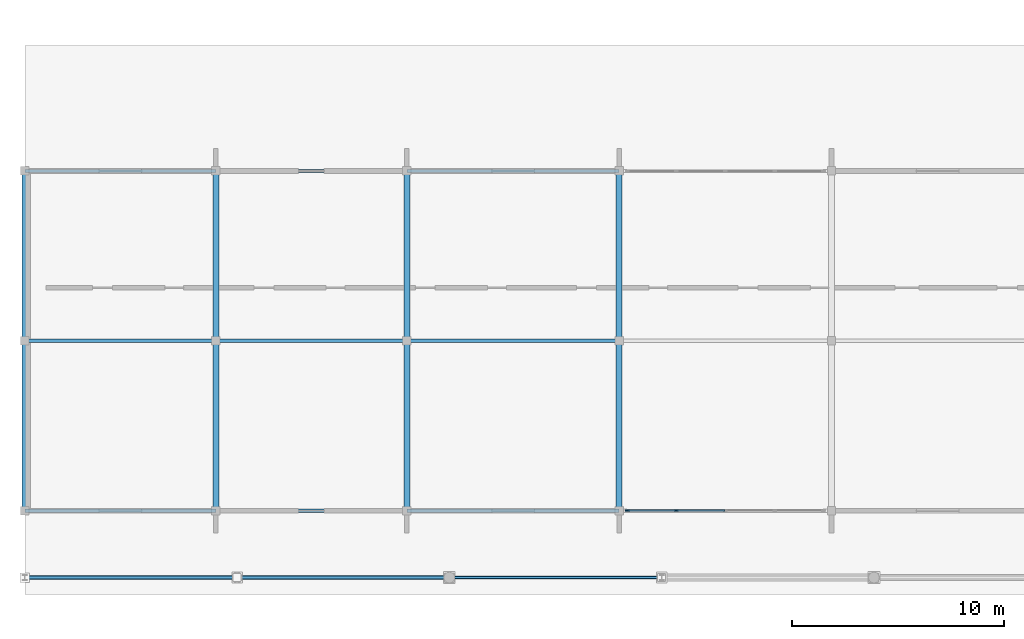
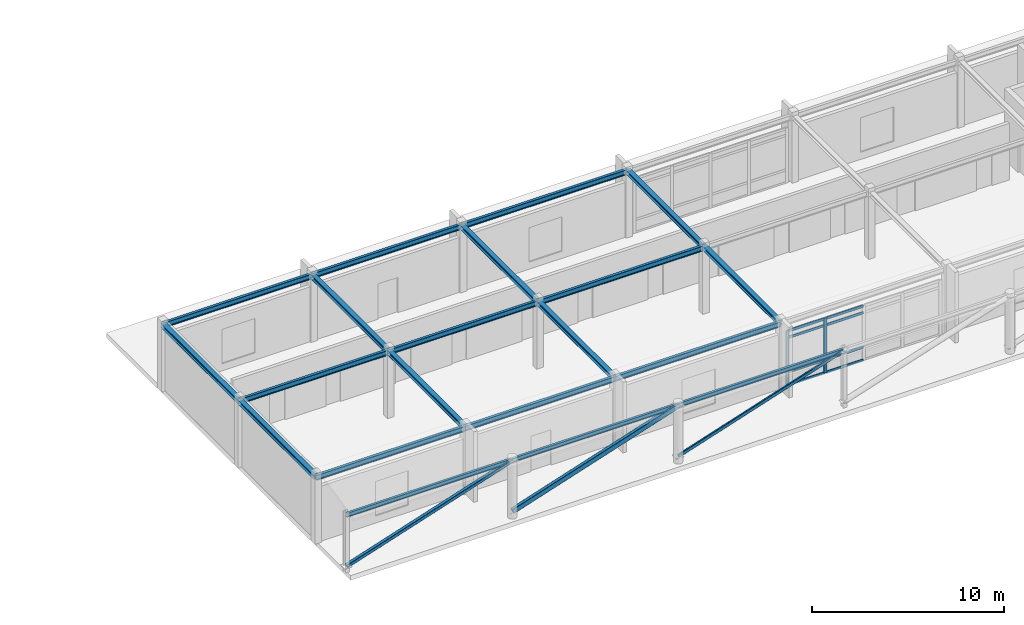
# One storey, part 9 of 61: 20 beams, 13 members, 1 element without a shape of its own.
"""IFC4 building model written with IfcOpenShell, lengths in metres."""

from ifc_helpers import new_model, si_unit, direction, frame, origin, origin_2d, place, context, subcontext, project, spatial, rectangle, hollow_rectangle, i_section, extrude, material, material_profile, profile_set, type_object, element, aggregate, save


model = new_model("IFC4")

# Units and contexts
model_context = context("Model", 3, precision=1e-05, world=origin(), true_north=direction((0.0, 1.0)))
body_context = subcontext(model_context, "Body", "Model", "MODEL_VIEW")
ifc_project = project(units=[si_unit("LENGTHUNIT", "METRE"), si_unit("AREAUNIT", "SQUARE_METRE"), si_unit("VOLUMEUNIT", "CUBIC_METRE"), si_unit("PLANEANGLEUNIT", "RADIAN"), si_unit("MASSUNIT", "GRAM", prefix="KILO")], contexts=[model_context])

# Site, building, storey
site_placement = place(None, origin())
site = spatial("IfcSite", under=ifc_project, at=site_placement, CompositionType="ELEMENT")
building_placement = place(site_placement, origin())
building = spatial("IfcBuilding", under=site, at=building_placement, Name="Zimvara Arc Housing Community", CompositionType="ELEMENT")
storey_placement = place(building_placement, origin())
storey = spatial("IfcBuildingStorey", under=building, at=storey_placement, Name="L00", CompositionType="ELEMENT", Elevation=0.0)

# Beams
ifc_material_1 = material(Name="Steel S355", Category="steel")
ifc_material_profile_1 = material_profile(ifc_material_1, i_section(OverallWidth=0.280029296875, OverallDepth=0.27001953125, WebThickness=0.008056640625, FlangeThickness=0.012939453125, FilletRadius=0.02392578125, at=origin_2d()), Name="HEA 280")
ifc_profile_set_1 = profile_set([ifc_material_profile_1], Name="Steel S355")
beam_type_1 = type_object("IfcBeamType", Name="BM-ST-HEA280", PredefinedType="BEAM", material=ifc_profile_set_1)
for number, where, z_axis, x_axis, name in (
    (1, (0.0, 3.60009765625, 4.1201171875), (0.0, 1.0, 0.0), (-1.0, 0.0, 0.0), "bm:shops:L00:y:x0:b0"),
    (2, (0.0, 11.60009765625, 4.1201171875), (0.0, 1.0, 0.0), (-1.0, 0.0, 0.0), "bm:shops:L00:y:x0:b1"),
    (3, (9.0, 3.60009765625, 4.1201171875), (0.0, 1.0, 0.0), (-1.0, 0.0, 0.0), "bm:shops:L00:y:x1:b0"),
    (4, (9.0, 11.60009765625, 4.1201171875), (0.0, 1.0, 0.0), (-1.0, 0.0, 0.0), "bm:shops:L00:y:x1:b1"),
    (5, (18.0, 3.60009765625, 4.1201171875), (0.0, 1.0, 0.0), (-1.0, 0.0, 0.0), "bm:shops:L00:y:x2:b0"),
    (6, (18.0, 11.60009765625, 4.1201171875), (0.0, 1.0, 0.0), (-1.0, 0.0, 0.0), "bm:shops:L00:y:x2:b1"),
    (7, (28.0, 3.60009765625, 4.1201171875), (0.0, 1.0, 0.0), (-1.0, 0.0, 0.0), "bm:shops:L00:y:x3:b0"),
    (8, (28.0, 11.60009765625, 4.1201171875), (0.0, 1.0, 0.0), (-1.0, 0.0, 0.0), "bm:shops:L00:y:x3:b1"),
):
    element("IfcBeam", number, at=place(storey_placement, frame(where, z_axis=z_axis, x_axis=x_axis)), inside=storey, type_object=beam_type_1, Name=name, PredefinedType="BEAM", context=body_context, shape_type="SweptSolid", body=[
        extrude(i_section(OverallWidth=0.280029296875, OverallDepth=0.27001953125, WebThickness=0.008056640625, FlangeThickness=0.012939453125, FilletRadius=0.02392578125, at=origin_2d()), origin(), (0.0, 0.0, 1.0), 8.0),
    ])
ifc_material_2 = material(Name="Steel S355", Category="steel")
ifc_material_profile_2 = material_profile(ifc_material_2, i_section(OverallWidth=0.135009765625, OverallDepth=0.27001953125, WebThickness=0.006591796875, FlangeThickness=0.01025390625, FilletRadius=0.014892578125, at=origin_2d()), Name="IPE 270")
ifc_profile_set_2 = profile_set([ifc_material_profile_2], Name="Steel S355")
beam_type_2 = type_object("IfcBeamType", Name="BM-ST-IPE270", PredefinedType="JOIST", material=ifc_profile_set_2)
for number, where, z_axis, x_axis, name in (
    (9, (0.0, 0.449951171875, 3.60009765625), (1.0, 0.0, 0.0), (0.0, 1.0, 0.0), "bm:colonnade:L00:s1:0"),
    (10, (10.0, 0.449951171875, 3.60009765625), (1.0, 0.0, 0.0), (0.0, 1.0, 0.0), "bm:colonnade:L00:s1:10"),
    (11, (20.0, 0.449951171875, 3.60009765625), (1.0, 0.0, 0.0), (0.0, 1.0, 0.0), "bm:colonnade:L00:s1:20"),
):
    element("IfcBeam", number, at=place(storey_placement, frame(where, z_axis=z_axis, x_axis=x_axis)), inside=storey, type_object=beam_type_2, Name=name, PredefinedType="JOIST", context=body_context, shape_type="SweptSolid", body=[
        extrude(i_section(OverallWidth=0.135009765625, OverallDepth=0.27001953125, WebThickness=0.006591796875, FlangeThickness=0.01025390625, FilletRadius=0.014892578125, at=origin_2d()), origin(), (0.0, 0.0, 1.0), 10.0),
    ])
ifc_material_3 = material(Name="Steel S355", Category="steel")
ifc_material_profile_3 = material_profile(ifc_material_3, i_section(OverallWidth=0.159912109375, OverallDepth=0.330078125, WebThickness=0.007568359375, FlangeThickness=0.011474609375, FilletRadius=0.01806640625, at=origin_2d()), Name="IPE 330")
ifc_profile_set_3 = profile_set([ifc_material_profile_3], Name="Steel S355")
beam_type_3 = type_object("IfcBeamType", Name="BM-ST-IPE330", PredefinedType="BEAM", material=ifc_profile_set_3)
for number, where, z_axis, x_axis, name in (
    (12, (0.0, 3.60009765625, 4.090087890625), (1.0, 0.0, 0.0), (0.0, 1.0, 0.0), "bm:shops:L00:x:y0:b0"),
    (13, (9.0, 3.60009765625, 4.090087890625), (1.0, 0.0, 0.0), (0.0, 1.0, 0.0), "bm:shops:L00:x:y0:b1"),
):
    element("IfcBeam", number, at=place(storey_placement, frame(where, z_axis=z_axis, x_axis=x_axis)), inside=storey, type_object=beam_type_3, Name=name, PredefinedType="BEAM", context=body_context, shape_type="SweptSolid", body=[
        extrude(i_section(OverallWidth=0.159912109375, OverallDepth=0.330078125, WebThickness=0.007568359375, FlangeThickness=0.011474609375, FilletRadius=0.01806640625, at=origin_2d()), origin(), (0.0, 0.0, 1.0), 9.0),
    ])
beam_1_placement = place(storey_placement, frame((18.0, 3.60009765625, 4.090087890625), z_axis=(1.0, 0.0, 0.0), x_axis=(0.0, 1.0, 0.0)))
element("IfcBeam", 14, at=beam_1_placement, inside=storey, type_object=beam_type_3, Name="bm:shops:L00:x:y0:b2", PredefinedType="BEAM", context=body_context, shape_type="SweptSolid", body=[
    extrude(i_section(OverallWidth=0.159912109375, OverallDepth=0.330078125, WebThickness=0.007568359375, FlangeThickness=0.011474609375, FilletRadius=0.01806640625, at=origin_2d()), origin(), (0.0, 0.0, 1.0), 10.0),
])
for number, where, z_axis, x_axis, name in (
    (15, (0.0, 11.60009765625, 4.090087890625), (1.0, 0.0, 0.0), (0.0, 1.0, 0.0), "bm:shops:L00:x:y1:b0"),
    (16, (9.0, 11.60009765625, 4.090087890625), (1.0, 0.0, 0.0), (0.0, 1.0, 0.0), "bm:shops:L00:x:y1:b1"),
):
    element("IfcBeam", number, at=place(storey_placement, frame(where, z_axis=z_axis, x_axis=x_axis)), inside=storey, type_object=beam_type_3, Name=name, PredefinedType="BEAM", context=body_context, shape_type="SweptSolid", body=[
        extrude(i_section(OverallWidth=0.159912109375, OverallDepth=0.330078125, WebThickness=0.007568359375, FlangeThickness=0.011474609375, FilletRadius=0.01806640625, at=origin_2d()), origin(), (0.0, 0.0, 1.0), 9.0),
    ])
beam_2_placement = place(storey_placement, frame((18.0, 11.60009765625, 4.090087890625), z_axis=(1.0, 0.0, 0.0), x_axis=(0.0, 1.0, 0.0)))
element("IfcBeam", 17, at=beam_2_placement, inside=storey, type_object=beam_type_3, Name="bm:shops:L00:x:y1:b2", PredefinedType="BEAM", context=body_context, shape_type="SweptSolid", body=[
    extrude(i_section(OverallWidth=0.159912109375, OverallDepth=0.330078125, WebThickness=0.007568359375, FlangeThickness=0.011474609375, FilletRadius=0.01806640625, at=origin_2d()), origin(), (0.0, 0.0, 1.0), 10.0),
])
for number, where, z_axis, x_axis, name in (
    (18, (0.0, 19.60009765625, 4.090087890625), (1.0, 0.0, 0.0), (0.0, 1.0, 0.0), "bm:shops:L00:x:y2:b0"),
    (19, (9.0, 19.60009765625, 4.090087890625), (1.0, 0.0, 0.0), (0.0, 1.0, 0.0), "bm:shops:L00:x:y2:b1"),
):
    element("IfcBeam", number, at=place(storey_placement, frame(where, z_axis=z_axis, x_axis=x_axis)), inside=storey, type_object=beam_type_3, Name=name, PredefinedType="BEAM", context=body_context, shape_type="SweptSolid", body=[
        extrude(i_section(OverallWidth=0.159912109375, OverallDepth=0.330078125, WebThickness=0.007568359375, FlangeThickness=0.011474609375, FilletRadius=0.01806640625, at=origin_2d()), origin(), (0.0, 0.0, 1.0), 9.0),
    ])
beam_3_placement = place(storey_placement, frame((18.0, 19.60009765625, 4.090087890625), z_axis=(1.0, 0.0, 0.0), x_axis=(0.0, 1.0, 0.0)))
element("IfcBeam", 20, at=beam_3_placement, inside=storey, type_object=beam_type_3, Name="bm:shops:L00:x:y2:b2", PredefinedType="BEAM", context=body_context, shape_type="SweptSolid", body=[
    extrude(i_section(OverallWidth=0.159912109375, OverallDepth=0.330078125, WebThickness=0.007568359375, FlangeThickness=0.011474609375, FilletRadius=0.01806640625, at=origin_2d()), origin(), (0.0, 0.0, 1.0), 10.0),
])

# Curtain wall, members
ifc_material_4 = material(Name="Anodised Aluminium AW-6063", Category="aluminium")
curtain_wall_type = type_object("IfcCurtainWallType", Name="CW-SYS-05", PredefinedType="USERDEFINED", material=ifc_material_4)
curtain_wall_placement = place(storey_placement, origin())
curtain_wall = element("IfcCurtainWall", 21, at=curtain_wall_placement, inside=storey, type_object=curtain_wall_type, Name="cw:shops:L00:south:b3", ObjectType="CURTAIN WALL", PredefinedType="USERDEFINED")
ifc_material_5 = material(Name="Anodised Aluminium AW-6063", Category="aluminium")
ifc_material_profile_4 = material_profile(ifc_material_5, rectangle(XDim=0.06494140625, YDim=0.195068359375, at=origin_2d()), Name="ALU 65x195")
ifc_profile_set_4 = profile_set([ifc_material_profile_4], Name="Anodised Aluminium AW-6063")
member_type_1 = type_object("IfcMemberType", Name="CWM-65x180", PredefinedType="MULLION", material=ifc_profile_set_4)
member_1_placement = place(storey_placement, frame((28.392578125, 3.60009765625, 0.0), z_axis=(0.0, 0.0, 1.0), x_axis=(0.0, 1.0, 0.0)))
member_1 = element("IfcMember", 22, at=member_1_placement, type_object=member_type_1, Name="CW05 mullion 1", PredefinedType="MULLION", context=body_context, shape_type="SweptSolid", body=[
    extrude(rectangle(XDim=0.06494140625, YDim=0.195068359375, at=origin_2d()), origin(), (0.0, 0.0, 1.0), 3.5),
])
member_2_placement = place(storey_placement, frame((30.679931640625, 3.60009765625, 0.0), z_axis=(0.0, 0.0, 1.0), x_axis=(0.0, 1.0, 0.0)))
member_2 = element("IfcMember", 23, at=member_2_placement, type_object=member_type_1, Name="CW05 mullion 2", PredefinedType="MULLION", context=body_context, shape_type="SweptSolid", body=[
    extrude(rectangle(XDim=0.06494140625, YDim=0.195068359375, at=origin_2d()), origin(), (0.0, 0.0, 1.0), 3.5),
])
ifc_material_6 = material(Name="Anodised Aluminium AW-6063", Category="aluminium")
ifc_material_profile_5 = material_profile(ifc_material_6, rectangle(XDim=0.06494140625, YDim=0.155029296875, at=origin_2d()), Name="ALU 65x155")
ifc_profile_set_5 = profile_set([ifc_material_profile_5], Name="Anodised Aluminium AW-6063")
member_type_2 = type_object("IfcMemberType", Name="CWT-65x140", PredefinedType="USERDEFINED", material=ifc_profile_set_5)
member_3_placement = place(storey_placement, frame((28.425048828125, 3.60009765625, 0.032470703125), z_axis=(1.0, 0.0, 0.0), x_axis=(0.0, 1.0, 0.0)))
member_3 = element("IfcMember", 24, at=member_3_placement, type_object=member_type_2, Name="CW05 transom 1.1", ObjectType="TRANSOM", PredefinedType="USERDEFINED", context=body_context, shape_type="SweptSolid", body=[
    extrude(rectangle(XDim=0.06494140625, YDim=0.155029296875, at=origin_2d()), origin(), (0.0, 0.0, 1.0), 2.222412109375),
])
member_4_placement = place(storey_placement, frame((28.425048828125, 3.60009765625, 0.85009765625), z_axis=(1.0, 0.0, 0.0), x_axis=(0.0, 1.0, 0.0)))
member_4 = element("IfcMember", 25, at=member_4_placement, type_object=member_type_2, Name="CW05 transom 1.2", ObjectType="TRANSOM", PredefinedType="USERDEFINED", context=body_context, shape_type="SweptSolid", body=[
    extrude(rectangle(XDim=0.06494140625, YDim=0.155029296875, at=origin_2d()), origin(), (0.0, 0.0, 1.0), 2.222412109375),
])
member_5_placement = place(storey_placement, frame((28.425048828125, 3.60009765625, 3.050048828125), z_axis=(1.0, 0.0, 0.0), x_axis=(0.0, 1.0, 0.0)))
member_5 = element("IfcMember", 26, at=member_5_placement, type_object=member_type_2, Name="CW05 transom 1.3", ObjectType="TRANSOM", PredefinedType="USERDEFINED", context=body_context, shape_type="SweptSolid", body=[
    extrude(rectangle(XDim=0.06494140625, YDim=0.155029296875, at=origin_2d()), origin(), (0.0, 0.0, 1.0), 2.222412109375),
])
member_6_placement = place(storey_placement, frame((28.425048828125, 3.60009765625, 3.467529296875), z_axis=(1.0, 0.0, 0.0), x_axis=(0.0, 1.0, 0.0)))
member_6 = element("IfcMember", 27, at=member_6_placement, type_object=member_type_2, Name="CW05 transom 1.4", ObjectType="TRANSOM", PredefinedType="USERDEFINED", context=body_context, shape_type="SweptSolid", body=[
    extrude(rectangle(XDim=0.06494140625, YDim=0.155029296875, at=origin_2d()), origin(), (0.0, 0.0, 1.0), 2.222412109375),
])
member_7_placement = place(storey_placement, frame((30.71240234375, 3.60009765625, 0.032470703125), z_axis=(1.0, 0.0, 0.0), x_axis=(0.0, 1.0, 0.0)))
member_7 = element("IfcMember", 28, at=member_7_placement, type_object=member_type_2, Name="CW05 transom 2.1", ObjectType="TRANSOM", PredefinedType="USERDEFINED", context=body_context, shape_type="SweptSolid", body=[
    extrude(rectangle(XDim=0.06494140625, YDim=0.155029296875, at=origin_2d()), origin(), (0.0, 0.0, 1.0), 2.255126953125),
])
member_8_placement = place(storey_placement, frame((30.71240234375, 3.60009765625, 0.85009765625), z_axis=(1.0, 0.0, 0.0), x_axis=(0.0, 1.0, 0.0)))
member_8 = element("IfcMember", 29, at=member_8_placement, type_object=member_type_2, Name="CW05 transom 2.2", ObjectType="TRANSOM", PredefinedType="USERDEFINED", context=body_context, shape_type="SweptSolid", body=[
    extrude(rectangle(XDim=0.06494140625, YDim=0.155029296875, at=origin_2d()), origin(), (0.0, 0.0, 1.0), 2.255126953125),
])
member_9_placement = place(storey_placement, frame((30.71240234375, 3.60009765625, 3.050048828125), z_axis=(1.0, 0.0, 0.0), x_axis=(0.0, 1.0, 0.0)))
member_9 = element("IfcMember", 30, at=member_9_placement, type_object=member_type_2, Name="CW05 transom 2.3", ObjectType="TRANSOM", PredefinedType="USERDEFINED", context=body_context, shape_type="SweptSolid", body=[
    extrude(rectangle(XDim=0.06494140625, YDim=0.155029296875, at=origin_2d()), origin(), (0.0, 0.0, 1.0), 2.255126953125),
])
member_10_placement = place(storey_placement, frame((30.71240234375, 3.60009765625, 3.467529296875), z_axis=(1.0, 0.0, 0.0), x_axis=(0.0, 1.0, 0.0)))
member_10 = element("IfcMember", 31, at=member_10_placement, type_object=member_type_2, Name="CW05 transom 2.4", ObjectType="TRANSOM", PredefinedType="USERDEFINED", context=body_context, shape_type="SweptSolid", body=[
    extrude(rectangle(XDim=0.06494140625, YDim=0.155029296875, at=origin_2d()), origin(), (0.0, 0.0, 1.0), 2.255126953125),
])
aggregate(curtain_wall, [member_1, member_2, member_3, member_4, member_5, member_6, member_7, member_8, member_9, member_10])

# Members
ifc_material_7 = material(Name="Steel S355", Category="steel")
ifc_material_profile_6 = material_profile(ifc_material_7, hollow_rectangle(XDim=0.199951171875, YDim=0.199951171875, WallThickness=0.010009765625, InnerFilletRadius=0.010009765625, OuterFilletRadius=0.02001953125, at=origin_2d()), Name="SHS 200x200x10.0")
ifc_profile_set_6 = profile_set([ifc_material_profile_6], Name="Steel S355")
member_type_3 = type_object("IfcMemberType", Name="MB-BRACE-SHS200", PredefinedType="BRACE", material=ifc_profile_set_6)
member_11_placement = place(storey_placement, frame((0.0, 0.449951171875, 0.35009765625), z_axis=(0.951034068731, 0.0, 0.309086072338), x_axis=(0.0, 1.0, 0.0)))
element("IfcMember", 32, at=member_11_placement, inside=storey, type_object=member_type_3, Name="mb:colonnade:L00:s1:0", PredefinedType="BRACE", context=body_context, shape_type="SweptSolid", body=[
    extrude(hollow_rectangle(XDim=0.199951171875, YDim=0.199951171875, WallThickness=0.010009765625, InnerFilletRadius=0.010009765625, OuterFilletRadius=0.02001953125, at=origin_2d()), origin(), (0.0, 0.0, 1.0), 10.514892578125),
])
ifc_material_8 = material(Name="Steel S355", Category="steel")
ifc_material_profile_7 = material_profile(ifc_material_8, hollow_rectangle(XDim=0.199951171875, YDim=0.300048828125, WallThickness=0.010009765625, InnerFilletRadius=0.010009765625, OuterFilletRadius=0.02001953125, at=origin_2d()), Name="RHS 300x200x10.0")
ifc_profile_set_7 = profile_set([ifc_material_profile_7], Name="Steel S355")
member_type_4 = type_object("IfcMemberType", Name="MB-CHORD-RHS300", PredefinedType="CHORD", material=ifc_profile_set_7)
member_12_placement = place(storey_placement, frame((10.0, 0.449951171875, 0.35009765625), z_axis=(0.951034068731, 0.0, 0.309086072338), x_axis=(0.0, 1.0, 0.0)))
element("IfcMember", 33, at=member_12_placement, inside=storey, type_object=member_type_4, Name="mb:colonnade:L00:s1:10", PredefinedType="CHORD", context=body_context, shape_type="SweptSolid", body=[
    extrude(hollow_rectangle(XDim=0.199951171875, YDim=0.300048828125, WallThickness=0.010009765625, InnerFilletRadius=0.010009765625, OuterFilletRadius=0.02001953125, at=origin_2d()), origin(), (0.0, 0.0, 1.0), 10.514892578125),
])
ifc_material_9 = material(Name="Steel S355", Category="steel")
ifc_material_profile_8 = material_profile(ifc_material_9, hollow_rectangle(XDim=0.10009765625, YDim=0.199951171875, WallThickness=0.008056640625, InnerFilletRadius=0.008056640625, OuterFilletRadius=0.01611328125, at=origin_2d()), Name="RHS 200x100x8.0")
ifc_profile_set_8 = profile_set([ifc_material_profile_8], Name="Steel S355")
member_type_5 = type_object("IfcMemberType", Name="MB-PURLIN-RHS200", PredefinedType="PURLIN", material=ifc_profile_set_8)
member_13_placement = place(storey_placement, frame((20.0, 0.449951171875, 0.35009765625), z_axis=(0.951034068731, 0.0, 0.309086072338), x_axis=(0.0, 1.0, 0.0)))
element("IfcMember", 34, at=member_13_placement, inside=storey, type_object=member_type_5, Name="mb:colonnade:L00:s1:20", PredefinedType="PURLIN", context=body_context, shape_type="SweptSolid", body=[
    extrude(hollow_rectangle(XDim=0.10009765625, YDim=0.199951171875, WallThickness=0.008056640625, InnerFilletRadius=0.008056640625, OuterFilletRadius=0.01611328125, at=origin_2d()), origin(), (0.0, 0.0, 1.0), 10.514892578125),
])

save(model, "model.ifc")
